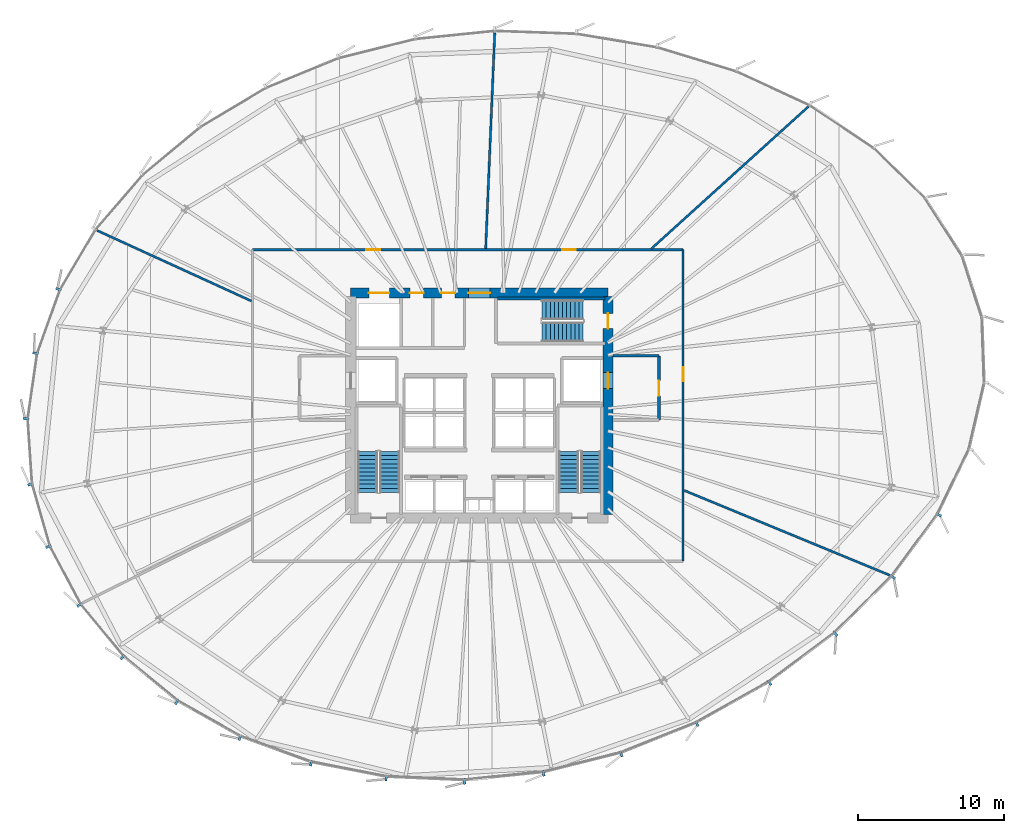
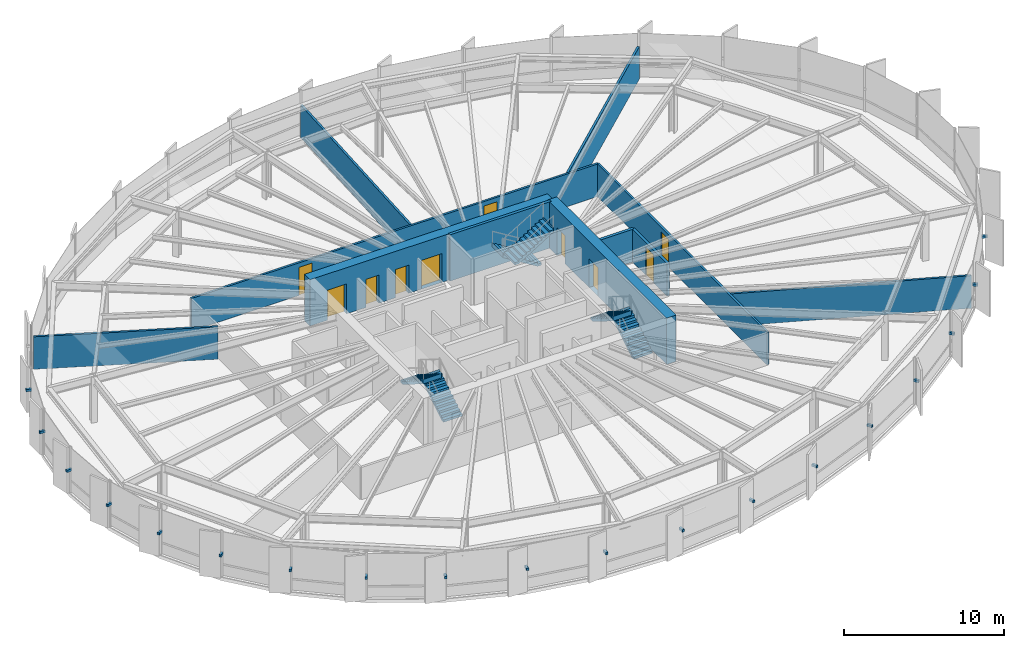
# One storey, part 30 of 35: 19 discrete accessories, 11 walls, 10 doors, 6 stair flights, 10 openings, 3 elements without a shape of their own.
"""IFC4 building model written with IfcOpenShell, lengths in metres."""

import ifcopenshell
import ifcopenshell.guid

model = None  # the IFC model being written
_history = None  # IfcOwnerHistory: only IFC2X3 demands one
_inside = {}  # id of a spatial element -> (the spatial element, [elements in it])
_under = {}  # id of a project, library or spatial element -> (it, [spatial elements below it])
_declared = {}  # id of a project -> (the project, [libraries it declares])
_typed = {}  # id of a type object -> (the type object, [elements of that type])
_made_of = {}  # id of a material, layer set ... -> (it, [elements and type objects made of it])


def new_model(schema):
    """Start an empty IFC model of exactly this schema.

    Asked for "IFC4X3", IfcOpenShell would pick the latest addendum, in which some entities
    have other attributes; the version numbers below select the first issue.
    IFC2X3 requires an IfcOwnerHistory on every rooted entity: one is made here for all.
    """
    global model, _history
    if schema == "IFC4X3":
        model = ifcopenshell.file(schema_version=(4, 3, 0, 0))
    else:
        model = ifcopenshell.file(schema=schema)
    _inside.clear()
    _under.clear()
    _declared.clear()
    _typed.clear()
    _made_of.clear()
    _history = None
    if model.schema == "IFC2X3":
        org = make("IfcOrganization", Name="unknown")
        user = make(
            "IfcPersonAndOrganization",
            ThePerson=make("IfcPerson", FamilyName="unknown"),
            TheOrganization=org,
        )
        app = make(
            "IfcApplication",
            ApplicationDeveloper=org,
            Version="unknown",
            ApplicationFullName="unknown",
            ApplicationIdentifier="unknown",
        )
        _history = make(
            "IfcOwnerHistory",
            OwningUser=user,
            OwningApplication=app,
            ChangeAction="ADDED",
            CreationDate=0,
        )
    return model


def make(cls, **values):
    """One entity of the class cls with the attributes given. An attribute that is None is left unset."""
    return model.create_entity(
        cls, **{name: value for name, value in values.items() if value is not None}
    )


def rooted(cls, **values):
    """An entity with a GlobalId (a new one), such as an element, a storey or a relation."""
    return make(cls, GlobalId=ifcopenshell.guid.new(), OwnerHistory=_history, **values)


def si_unit(unit_type, name, prefix=None):
    """IfcSIUnit, for example si_unit("LENGTHUNIT", "METRE", prefix="MILLI")."""
    return make("IfcSIUnit", UnitType=unit_type, Prefix=prefix, Name=name)


def assignment(units):
    """IfcUnitAssignment: the units of a project."""
    return None if units is None else make("IfcUnitAssignment", Units=units)


def point(xyz):
    """IfcCartesianPoint."""
    return None if xyz is None else make("IfcCartesianPoint", Coordinates=xyz)


def direction(xyz):
    """IfcDirection."""
    return None if xyz is None else make("IfcDirection", DirectionRatios=xyz)


def frame(location, z_axis=None, x_axis=None):
    """IfcAxis2Placement3D, a coordinate frame: its origin and axes. An axis left out is left unset."""
    return make(
        "IfcAxis2Placement3D",
        Location=point(location),
        Axis=direction(z_axis),
        RefDirection=direction(x_axis),
    )


def frame_2d(location, x_axis=None):
    """IfcAxis2Placement2D, a coordinate frame in the plane: its origin and x axis."""
    return make(
        "IfcAxis2Placement2D", Location=point(location), RefDirection=direction(x_axis)
    )


def origin():
    """The frame at (0, 0, 0) with its axes left unset."""
    return frame((0.0, 0.0, 0.0))


def origin_2d():
    """The frame at (0, 0) in the plane with its x axis left unset."""
    return frame_2d((0.0, 0.0))


def place(relative_to, where):
    """IfcLocalPlacement: puts the frame where relative to a parent placement (None: the world)."""
    return make(
        "IfcLocalPlacement", PlacementRelTo=relative_to, RelativePlacement=where
    )


def context(
    kind, dimensions, precision=None, world=None, true_north=None, identifier=None
):
    """IfcGeometricRepresentationContext, for example the 3D "Model" context."""
    return make(
        "IfcGeometricRepresentationContext",
        ContextIdentifier=identifier,
        ContextType=kind,
        CoordinateSpaceDimension=dimensions,
        Precision=precision,
        WorldCoordinateSystem=world,
        TrueNorth=true_north,
    )


def subcontext(parent, identifier, kind, view, scale=None):
    """IfcGeometricRepresentationSubContext, for example "Body" below "Model"."""
    return make(
        "IfcGeometricRepresentationSubContext",
        ContextIdentifier=identifier,
        ContextType=kind,
        ParentContext=parent,
        TargetScale=scale,
        TargetView=view,
    )


def project(units=None, contexts=None):
    """IfcProject with its units and contexts."""
    return rooted(
        "IfcProject",
        Name="project",
        RepresentationContexts=contexts,
        UnitsInContext=assignment(units),
    )


def spatial(cls, under=None, at=None, **own):
    """A site, building, storey or space (cls), placed at a placement, below another one or the project."""
    s = rooted(cls, ObjectPlacement=at, **own)
    if under is not None:
        _under.setdefault(under.id(), (under, []))[1].append(s)
    return s


def polyline(points):
    """IfcPolyline through the points."""
    return make("IfcPolyline", Points=[point(p) for p in points])


def profile(cls, at=None, kind="AREA", **sizes):
    """A parametric profile (cls). Its sizes go by their IFC names, for example OverallWidth=200.0."""
    return make(cls, ProfileType=kind, Position=at, **sizes)


def rectangle(**sizes):
    """IfcRectangleProfileDef."""
    return profile("IfcRectangleProfileDef", **sizes)


def outline(outer, holes=None, kind="AREA"):
    """IfcArbitraryClosedProfileDef: a profile drawn as a closed curve; with holes, ...WithVoids."""
    if holes is None:
        return make("IfcArbitraryClosedProfileDef", ProfileType=kind, OuterCurve=outer)
    return make(
        "IfcArbitraryProfileDefWithVoids",
        ProfileType=kind,
        OuterCurve=outer,
        InnerCurves=holes,
    )


def extrude(swept, where, along, depth):
    """IfcExtrudedAreaSolid: the profile swept, set in the frame where, extruded along a direction by depth."""
    return make(
        "IfcExtrudedAreaSolid",
        SweptArea=swept,
        Position=where,
        ExtrudedDirection=direction(along),
        Depth=depth,
    )


def shape(context_of_items, identifier, shape_type, items):
    """IfcShapeRepresentation: the items that make up one representation, for example the "Body"."""
    return make(
        "IfcShapeRepresentation",
        ContextOfItems=context_of_items,
        RepresentationIdentifier=identifier,
        RepresentationType=shape_type,
        Items=items,
    )


def source(mapping_origin, context_of_items, identifier, shape_type, items):
    """IfcRepresentationMap: a shape defined once, which mapped items show again and again."""
    return make(
        "IfcRepresentationMap",
        MappingOrigin=mapping_origin,
        MappedRepresentation=shape(context_of_items, identifier, shape_type, items),
    )


def transform(
    local_origin,
    x_axis=None,
    y_axis=None,
    z_axis=None,
    scale=None,
    scale2=None,
    scale3=None,
    uniform=True,
):
    """IfcCartesianTransformationOperator3D, or its non-uniform kind. x_axis, y_axis, z_axis: its Axis1, 2, 3."""
    if uniform:
        return make(
            "IfcCartesianTransformationOperator3D",
            Axis1=direction(x_axis),
            Axis2=direction(y_axis),
            LocalOrigin=point(local_origin),
            Scale=scale,
            Axis3=direction(z_axis),
        )
    return make(
        "IfcCartesianTransformationOperator3DnonUniform",
        Axis1=direction(x_axis),
        Axis2=direction(y_axis),
        LocalOrigin=point(local_origin),
        Scale=scale,
        Axis3=direction(z_axis),
        Scale2=scale2,
        Scale3=scale3,
    )


def mapped(mapping_source, mapping_target):
    """IfcMappedItem: shows the shape of a source again, moved by a transform."""
    return make(
        "IfcMappedItem", MappingSource=mapping_source, MappingTarget=mapping_target
    )


def material(Name=None, Category=None):
    """IfcMaterial."""
    return make("IfcMaterial", Name=Name, Category=Category)


def layer(
    of_material, thickness, ventilated=None, Name=None, Category=None, Priority=None
):
    """IfcMaterialLayer: one layer of a wall or slab, of a material (None: an air gap)."""
    return make(
        "IfcMaterialLayer",
        Material=of_material,
        LayerThickness=thickness,
        IsVentilated=ventilated,
        Name=Name,
        Category=Category,
        Priority=Priority,
    )


def layer_set(layers, Name=None):
    """IfcMaterialLayerSet."""
    return make("IfcMaterialLayerSet", MaterialLayers=layers, LayerSetName=Name)


def made_of(thing, what):
    """Note that an element or type object is made of a material, layer set ...; save() writes the relation."""
    if what is not None:
        _made_of.setdefault(what.id(), (what, []))[1].append(thing)
    return thing


def type_object(cls, material=None, **own):
    """A type object (cls), such as IfcWallType, which elements share."""
    return made_of(rooted(cls, **own), material)


def element(
    cls,
    number,
    at=None,
    inside=None,
    cuts=None,
    type_object=None,
    material=None,
    context=None,
    identifier="Body",
    shape_type=None,
    held_by="IfcProductDefinitionShape",
    body=None,
    shapes=None,
    **own,
):
    """One element of the class cls, such as IfcWall. Its Tag is "e" and its number.

    at: its placement. inside: the storey or other place that contains it. cuts: it is an
    opening in that element (IfcRelVoidsElement). A single representation is given by context,
    identifier, shape_type and body (its items); several are given by shapes. held_by: the class
    of the entity that holds the representations. save() writes the other relations.
    """
    e = rooted(cls, Tag="e%d" % number, ObjectPlacement=at, **own)
    if body is not None:
        shapes = [shape(context, identifier, shape_type, body)]
    if shapes is not None:
        e.Representation = make(held_by, Representations=shapes)
    if inside is not None:
        _inside.setdefault(inside.id(), (inside, []))[1].append(e)
    if cuts is not None:
        rooted(
            "IfcRelVoidsElement", RelatingBuildingElement=cuts, RelatedOpeningElement=e
        )
    if type_object is not None:
        _typed.setdefault(type_object.id(), (type_object, []))[1].append(e)
    return made_of(e, material)


def fill(opening, filler):
    """IfcRelFillsElement: the door or window that sits in an opening."""
    return rooted(
        "IfcRelFillsElement",
        RelatingOpeningElement=opening,
        RelatedBuildingElement=filler,
    )


def aggregate(whole, parts):
    """IfcRelAggregates: a whole, such as a stair, and the parts it consists of."""
    return rooted("IfcRelAggregates", RelatingObject=whole, RelatedObjects=parts)


def save(model, path):
    """Write the relations noted so far, then the file.

    IfcRelAggregates (storeys below a building ...), IfcRelContainedInSpatialStructure (elements
    in a storey), IfcRelDefinesByType, IfcRelAssociatesMaterial and IfcRelDeclares: one each for
    every whole, place, type object, material and project.
    """
    for whole, parts in _under.values():
        aggregate(whole, parts)
    for where, things in _inside.values():
        rooted(
            "IfcRelContainedInSpatialStructure",
            RelatedElements=things,
            RelatingStructure=where,
        )
    for kind, things in _typed.values():
        rooted("IfcRelDefinesByType", RelatedObjects=things, RelatingType=kind)
    for what, things in _made_of.values():
        rooted("IfcRelAssociatesMaterial", RelatedObjects=things, RelatingMaterial=what)
    for by, libraries in _declared.values():
        rooted("IfcRelDeclares", RelatingContext=by, RelatedDefinitions=libraries)
    model.write(path)


model = new_model("IFC4")

# Units and contexts
model_context = context("Model", 3, precision=1e-05, world=origin(), true_north=direction((0.0, 1.0)))
body_context = subcontext(model_context, "Body", "Model", "MODEL_VIEW")
ifc_project = project(units=[si_unit("LENGTHUNIT", "METRE"), si_unit("AREAUNIT", "SQUARE_METRE"), si_unit("VOLUMEUNIT", "CUBIC_METRE"), si_unit("PLANEANGLEUNIT", "RADIAN"), si_unit("MASSUNIT", "GRAM", prefix="KILO"), si_unit("THERMODYNAMICTEMPERATUREUNIT", "KELVIN")], contexts=[model_context])

# Site, building, storey
site_placement = place(None, origin())
site = spatial("IfcSite", under=ifc_project, at=site_placement, CompositionType="ELEMENT")
building_placement = place(site_placement, origin())
building = spatial("IfcBuilding", under=site, at=building_placement, Name="Kethvar Cultural Tower", CompositionType="ELEMENT")
storey_placement = place(building_placement, frame((0.0, 0.0, 71.39990234375)))
storey = spatial("IfcBuildingStorey", under=building, at=storey_placement, Name="L17", CompositionType="ELEMENT", Elevation=71.39990234375)

# Wall, openings, doors
ifc_material_1 = material(Name="Concrete C60/75", Category="concrete")
ifc_layer_1 = layer(ifc_material_1, 0.699951171875, Name="Concrete C60/75", Category="concrete")
ifc_layer_set_1 = layer_set([ifc_layer_1], Name="Concrete C60/75 (700 mm)")
wall_type_1 = type_object("IfcWallType", Name="WL-CORE-700", PredefinedType="SHEAR", material=ifc_layer_set_1)
wall_1_placement = place(storey_placement, frame((55.60009765625, 35.5, 0.0), z_axis=(0.0, 0.0, 1.0), x_axis=(-1.0, 0.0, 0.0)))
wall_1 = element("IfcWall", 1, at=wall_1_placement, inside=storey, type_object=wall_type_1, Name="L17 Core Shear Wall N", PredefinedType="SHEAR", context=body_context, shape_type="SweptSolid", body=[
    extrude(rectangle(XDim=17.60009765625, YDim=0.699951171875, at=frame_2d((8.800048828125, 0.0))), origin(), (0.0, 0.0, 1.0), 3.5400390625),
])
opening_1_placement = place(wall_1_placement, frame((8.050048828125, 0.0, 0.0)))
opening_1 = element("IfcOpeningElement", 2, at=opening_1_placement, cuts=wall_1, Name="Opening D-L17-LN", PredefinedType="OPENING", context=body_context, shape_type="SweptSolid", body=[
    extrude(rectangle(XDim=1.5, YDim=2.199951171875, at=frame_2d((0.75, 1.10009765625))), frame((0.0, 0.35986328125, 0.0), z_axis=(0.0, -1.0, 0.0), x_axis=(1.0, 0.0, 0.0)), (0.0, 0.0, 1.0), 0.719970703125),
])
opening_2_placement = place(wall_1_placement, frame((14.949951171875, 0.0, 0.0)))
opening_2 = element("IfcOpeningElement", 3, at=opening_2_placement, cuts=wall_1, Name="Opening LD-G1", PredefinedType="OPENING", context=body_context, shape_type="SweptSolid", body=[
    extrude(rectangle(XDim=1.39990234375, YDim=2.300048828125, at=frame_2d((0.699951171875, 1.14990234375))), frame((0.0, 0.35986328125, 0.0), z_axis=(0.0, -1.0, 0.0), x_axis=(1.0, 0.0, 0.0)), (0.0, 0.0, 1.0), 0.719970703125),
])
opening_3_placement = place(wall_1_placement, frame((12.60009765625, 0.0, 0.0)))
opening_3 = element("IfcOpeningElement", 4, at=opening_3_placement, cuts=wall_1, Name="Opening D-L17-W1", PredefinedType="OPENING", context=body_context, shape_type="SweptSolid", body=[
    extrude(rectangle(XDim=0.949951171875, YDim=2.14990234375, at=frame_2d((0.47509765625, 1.074951171875))), frame((0.0, 0.35986328125, 0.0), z_axis=(0.0, -1.0, 0.0), x_axis=(1.0, 0.0, 0.0)), (0.0, 0.0, 1.0), 0.719970703125),
])
opening_4_placement = place(wall_1_placement, frame((10.449951171875, 0.0, 0.0)))
opening_4 = element("IfcOpeningElement", 5, at=opening_4_placement, cuts=wall_1, Name="Opening D-L17-W2", PredefinedType="OPENING", context=body_context, shape_type="SweptSolid", body=[
    extrude(rectangle(XDim=0.949951171875, YDim=2.14990234375, at=frame_2d((0.47509765625, 1.074951171875))), frame((0.0, 0.35986328125, 0.0), z_axis=(0.0, -1.0, 0.0), x_axis=(1.0, 0.0, 0.0)), (0.0, 0.0, 1.0), 0.719970703125),
])
ifc_material_2 = material(Name="Architectural Oak Timber", Category="wood")
door_type_1 = type_object("IfcDoorType", Name="DR-DBL-FD60-1500", OperationType="DOUBLE_DOOR_SINGLE_SWING", PredefinedType="DOOR", material=ifc_material_2)
shared_shape_1 = source(origin(), body_context, "Body", "SweptSolid", [
    extrude(rectangle(XDim=1.5, YDim=2.199951171875, at=frame_2d((0.75, 1.10009765625))), frame((0.0, 0.02490234375, 0.0), z_axis=(0.0, -1.0, 0.0), x_axis=(1.0, 0.0, 0.0)), (0.0, 0.0, 1.0), 0.050048828125),
])
door_1_placement = place(opening_1_placement, origin())
door_1 = element("IfcDoor", 6, at=door_1_placement, inside=storey, type_object=door_type_1, Name="L17 Lift Lobby Concourse Door", OperationType="DOUBLE_DOOR_SINGLE_SWING", OverallHeight=2.199951171875, OverallWidth=1.5, PredefinedType="DOOR", context=body_context, shape_type="MappedRepresentation", body=[
    mapped(shared_shape_1, transform((0.0, 0.0, 0.0), scale=1.0)),
])
fill(opening_1, door_1)
ifc_material_3 = material(Name="Steel S355J2", Category="steel")
door_type_2 = type_object("IfcDoorType", Name="DR-LIFT-SLIDE-1400", OperationType="NOTDEFINED", PredefinedType="DOOR", material=ifc_material_3)
shared_shape_2 = source(origin(), body_context, "Body", "SweptSolid", [
    extrude(rectangle(XDim=1.39990234375, YDim=2.300048828125, at=frame_2d((0.699951171875, 1.14990234375))), frame((0.0, 0.02490234375, 0.0), z_axis=(0.0, -1.0, 0.0), x_axis=(1.0, 0.0, 0.0)), (0.0, 0.0, 1.0), 0.050048828125),
])
door_2_placement = place(opening_2_placement, origin())
door_2 = element("IfcDoor", 7, at=door_2_placement, inside=storey, type_object=door_type_2, Name="L17 Goods Lift Landing Door", OperationType="SLIDING_TO_RIGHT", OverallHeight=2.300048828125, OverallWidth=1.39990234375, PredefinedType="DOOR", context=body_context, shape_type="MappedRepresentation", body=[
    mapped(shared_shape_2, transform((0.0, 0.0, 0.0), scale=1.0)),
])
fill(opening_2, door_2)
door_type_3 = type_object("IfcDoorType", Name="DR-FD30-950", OperationType="NOTDEFINED", PredefinedType="DOOR", material=ifc_material_2)
shared_shape_3 = source(origin(), body_context, "Body", "SweptSolid", [
    extrude(rectangle(XDim=0.949951171875, YDim=2.14990234375, at=frame_2d((0.47509765625, 1.074951171875))), frame((0.0, 0.02490234375, 0.0), z_axis=(0.0, -1.0, 0.0), x_axis=(1.0, 0.0, 0.0)), (0.0, 0.0, 1.0), 0.050048828125),
])
door_3_placement = place(opening_3_placement, origin())
door_3 = element("IfcDoor", 8, at=door_3_placement, inside=storey, type_object=door_type_3, Name="L17 Accessible Washroom Door", OperationType="SINGLE_SWING_LEFT", OverallHeight=2.14990234375, OverallWidth=0.949951171875, PredefinedType="DOOR", context=body_context, shape_type="MappedRepresentation", body=[
    mapped(shared_shape_3, transform((0.0, 0.0, 0.0), scale=1.0)),
])
fill(opening_3, door_3)
door_4_placement = place(opening_4_placement, origin())
door_4 = element("IfcDoor", 9, at=door_4_placement, inside=storey, type_object=door_type_3, Name="L17 Public Washroom Door", OperationType="SINGLE_SWING_RIGHT", OverallHeight=2.14990234375, OverallWidth=0.949951171875, PredefinedType="DOOR", context=body_context, shape_type="MappedRepresentation", body=[
    mapped(shared_shape_3, transform((0.0, 0.0, 0.0), scale=1.0)),
])
fill(opening_4, door_4)

wall_2_placement = place(storey_placement, frame((55.60009765625, 20.340087890625, 0.0), z_axis=(0.0, 0.0, 1.0), x_axis=(0.0, 1.0, 0.0)))
wall_2 = element("IfcWall", 10, at=wall_2_placement, inside=storey, type_object=wall_type_1, Name="L17 Core Shear Wall E", PredefinedType="SHEAR", context=body_context, shape_type="SweptSolid", body=[
    extrude(rectangle(XDim=14.919921875, YDim=0.699951171875, at=frame_2d((7.4599609375, 0.0))), origin(), (0.0, 0.0, 1.0), 3.5400390625),
])
opening_5_placement = place(wall_2_placement, frame((12.7099609375, 0.0, 0.0)))
opening_5 = element("IfcOpeningElement", 11, at=opening_5_placement, cuts=wall_2, Name="Opening D-L17-S3", PredefinedType="OPENING", context=body_context, shape_type="SweptSolid", body=[
    extrude(rectangle(XDim=1.050048828125, YDim=2.14990234375, at=frame_2d((0.52490234375, 1.074951171875))), frame((0.0, 0.35986328125, 0.0), z_axis=(0.0, -1.0, 0.0), x_axis=(1.0, 0.0, 0.0)), (0.0, 0.0, 1.0), 0.719970703125),
])
opening_6_placement = place(wall_2_placement, frame((8.610107421875, 0.0, 0.0)))
opening_6 = element("IfcOpeningElement", 12, at=opening_6_placement, cuts=wall_2, Name="Opening LD-2", PredefinedType="OPENING", context=body_context, shape_type="SweptSolid", body=[
    extrude(rectangle(XDim=1.10009765625, YDim=2.199951171875, at=frame_2d((0.550048828125, 1.10009765625))), frame((0.0, 0.35986328125, 0.0), z_axis=(0.0, -1.0, 0.0), x_axis=(1.0, 0.0, 0.0)), (0.0, 0.0, 1.0), 0.719970703125),
])
door_type_4 = type_object("IfcDoorType", Name="DR-FD60-1050", OperationType="NOTDEFINED", PredefinedType="DOOR", material=ifc_material_3)
shared_shape_4 = source(origin(), body_context, "Body", "SweptSolid", [
    extrude(rectangle(XDim=1.050048828125, YDim=2.14990234375, at=frame_2d((0.52490234375, 1.074951171875))), frame((0.0, 0.02490234375, 0.0), z_axis=(0.0, -1.0, 0.0), x_axis=(1.0, 0.0, 0.0)), (0.0, 0.0, 1.0), 0.050048828125),
])
door_5_placement = place(opening_5_placement, origin())
door_5 = element("IfcDoor", 13, at=door_5_placement, inside=storey, type_object=door_type_4, Name="L17 Exit Stair 3 Door", OperationType="SINGLE_SWING_LEFT", OverallHeight=2.14990234375, OverallWidth=1.050048828125, PredefinedType="DOOR", context=body_context, shape_type="MappedRepresentation", body=[
    mapped(shared_shape_4, transform((0.0, 0.0, 0.0), scale=1.0)),
])
fill(opening_5, door_5)
door_type_5 = type_object("IfcDoorType", Name="DR-LIFT-SLIDE-1100", OperationType="NOTDEFINED", PredefinedType="DOOR", material=ifc_material_3)
shared_shape_5 = source(origin(), body_context, "Body", "SweptSolid", [
    extrude(rectangle(XDim=1.10009765625, YDim=2.199951171875, at=frame_2d((0.550048828125, 1.10009765625))), frame((0.0, 0.02490234375, 0.0), z_axis=(0.0, -1.0, 0.0), x_axis=(1.0, 0.0, 0.0)), (0.0, 0.0, 1.0), 0.050048828125),
])
door_6_placement = place(opening_6_placement, origin())
door_6 = element("IfcDoor", 14, at=door_6_placement, inside=storey, type_object=door_type_5, Name="L17 Firefighting Lift Landing Door FFL-02", OperationType="SLIDING_TO_RIGHT", OverallHeight=2.199951171875, OverallWidth=1.10009765625, PredefinedType="DOOR", context=body_context, shape_type="MappedRepresentation", body=[
    mapped(shared_shape_5, transform((0.0, 0.0, 0.0), scale=1.0)),
])
fill(opening_6, door_6)

# Wall, opening, door
ifc_material_4 = material(Name="Gypsum Fireboard Partition")
ifc_layer_2 = layer(ifc_material_4, 0.14990234375, Name="Gypsum Fireboard Partition")
ifc_layer_set_2 = layer_set([ifc_layer_2], Name="Gypsum Fireboard Partition (150 mm)")
wall_type_2 = type_object("IfcWallType", Name="WL-FIRE-150", PredefinedType="PARTITIONING", material=ifc_layer_set_2)
wall_3_placement = place(storey_placement, frame((60.75, 17.139892578125, 0.0), z_axis=(0.0, 0.0, 1.0), x_axis=(0.0, 1.0, 0.0)))
wall_3 = element("IfcWall", 15, at=wall_3_placement, inside=storey, type_object=wall_type_2, Name="L17 Corridor Rated Wall E", PredefinedType="PARTITIONING", context=body_context, shape_type="SweptSolid", body=[
    extrude(rectangle(XDim=21.320068359375, YDim=0.14990234375, at=frame_2d((10.66015625, 0.0))), origin(), (0.0, 0.0, 1.0), 2.4951171875),
])
opening_7_placement = place(wall_3_placement, frame((12.320556640625, 0.0, 0.0)))
opening_7 = element("IfcOpeningElement", 16, at=opening_7_placement, cuts=wall_3, Name="Opening D-L17-02", PredefinedType="OPENING", context=body_context, shape_type="SweptSolid", body=[
    extrude(rectangle(XDim=0.949951171875, YDim=2.14990234375, at=frame_2d((0.47509765625, 1.074951171875))), frame((0.0, 0.0849609375, 0.0), z_axis=(0.0, -1.0, 0.0), x_axis=(1.0, 0.0, 0.0)), (0.0, 0.0, 1.0), 0.169921875),
])
door_7_placement = place(opening_7_placement, origin())
door_7 = element("IfcDoor", 17, at=door_7_placement, inside=storey, type_object=door_type_3, Name="L17 Researchers' Study Lounge 02 Door", OperationType="SINGLE_SWING_LEFT", OverallHeight=2.14990234375, OverallWidth=0.949951171875, PredefinedType="DOOR", context=body_context, shape_type="MappedRepresentation", body=[
    mapped(shared_shape_3, transform((0.0, 0.0, 0.0), scale=1.0)),
])
fill(opening_7, door_7)

# Wall, openings, doors
wall_4_placement = place(storey_placement, frame((60.75, 38.4599609375, 0.0), z_axis=(0.0, 0.0, 1.0), x_axis=(-1.0, 0.0, 0.0)))
wall_4 = element("IfcWall", 18, at=wall_4_placement, inside=storey, type_object=wall_type_2, Name="L17 Corridor Rated Wall N", PredefinedType="PARTITIONING", context=body_context, shape_type="SweptSolid", body=[
    extrude(rectangle(XDim=29.4599609375, YDim=0.14990234375, at=frame_2d((14.72998046875, 0.0))), origin(), (0.0, 0.0, 1.0), 2.4951171875),
])
opening_8_placement = place(wall_4_placement, frame((7.336669921875, 0.0, 0.0)))
opening_8 = element("IfcOpeningElement", 19, at=opening_8_placement, cuts=wall_4, Name="Opening D-L17-03", PredefinedType="OPENING", context=body_context, shape_type="SweptSolid", body=[
    extrude(rectangle(XDim=0.949951171875, YDim=2.14990234375, at=frame_2d((0.47509765625, 1.074951171875))), frame((0.0, 0.0849609375, 0.0), z_axis=(0.0, -1.0, 0.0), x_axis=(1.0, 0.0, 0.0)), (0.0, 0.0, 1.0), 0.169921875),
])
opening_9_placement = place(wall_4_placement, frame((20.7216796875, 0.0, 0.0)))
opening_9 = element("IfcOpeningElement", 20, at=opening_9_placement, cuts=wall_4, Name="Opening D-L17-04", PredefinedType="OPENING", context=body_context, shape_type="SweptSolid", body=[
    extrude(rectangle(XDim=0.949951171875, YDim=2.14990234375, at=frame_2d((0.47509765625, 1.074951171875))), frame((0.0, 0.0849609375, 0.0), z_axis=(0.0, -1.0, 0.0), x_axis=(1.0, 0.0, 0.0)), (0.0, 0.0, 1.0), 0.169921875),
])
door_8_placement = place(opening_8_placement, origin())
door_8 = element("IfcDoor", 21, at=door_8_placement, inside=storey, type_object=door_type_3, Name="L17 Cultural Lecture Room 03 Door", OperationType="SINGLE_SWING_RIGHT", OverallHeight=2.14990234375, OverallWidth=0.949951171875, PredefinedType="DOOR", context=body_context, shape_type="MappedRepresentation", body=[
    mapped(shared_shape_3, transform((0.0, 0.0, 0.0), scale=1.0)),
])
fill(opening_8, door_8)
door_9_placement = place(opening_9_placement, origin())
door_9 = element("IfcDoor", 22, at=door_9_placement, inside=storey, type_object=door_type_3, Name="L17 Patron Reception 04 Door", OperationType="SINGLE_SWING_LEFT", OverallHeight=2.14990234375, OverallWidth=0.949951171875, PredefinedType="DOOR", context=body_context, shape_type="MappedRepresentation", body=[
    mapped(shared_shape_3, transform((0.0, 0.0, 0.0), scale=1.0)),
])
fill(opening_9, door_9)

# Wall, opening, door
ifc_material_5 = material(Name="Concrete C40/50", Category="concrete")
ifc_layer_3 = layer(ifc_material_5, 0.199951171875, Name="Concrete C40/50", Category="concrete")
ifc_layer_set_3 = layer_set([ifc_layer_3], Name="Concrete C40/50 (200 mm)")
wall_type_3 = type_object("IfcWallType", Name="WL-FIRE-200", PredefinedType="PARTITIONING", material=ifc_layer_set_3)
wall_5_placement = place(storey_placement, frame((59.10009765625, 26.800048828125, 0.0), z_axis=(0.0, 0.0, 1.0), x_axis=(0.0, 1.0, 0.0)))
wall_5 = element("IfcWall", 23, at=wall_5_placement, inside=storey, type_object=wall_type_3, Name="L17 Firefighting Lobby 2 Wall", PredefinedType="PARTITIONING", context=body_context, shape_type="SweptSolid", body=[
    extrude(rectangle(XDim=4.39990234375, YDim=0.199951171875, at=frame_2d((2.199951171875, 0.0))), origin(), (0.0, 0.0, 1.0), 2.4951171875),
])
opening_10_placement = place(wall_5_placement, frame((1.64990234375, 0.0, 0.0)))
opening_10 = element("IfcOpeningElement", 24, at=opening_10_placement, cuts=wall_5, Name="Opening D-L17-F2", PredefinedType="OPENING", context=body_context, shape_type="SweptSolid", body=[
    extrude(rectangle(XDim=1.050048828125, YDim=2.14990234375, at=frame_2d((0.52490234375, 1.074951171875))), frame((0.0, 0.10986328125, 0.0), z_axis=(0.0, -1.0, 0.0), x_axis=(1.0, 0.0, 0.0)), (0.0, 0.0, 1.0), 0.219970703125),
])
door_10_placement = place(opening_10_placement, origin())
door_10 = element("IfcDoor", 25, at=door_10_placement, inside=storey, type_object=door_type_4, Name="L17 Firefighting Lobby 2 Fire Door", OperationType="SINGLE_SWING_LEFT", OverallHeight=2.14990234375, OverallWidth=1.050048828125, PredefinedType="DOOR", context=body_context, shape_type="MappedRepresentation", body=[
    mapped(shared_shape_4, transform((0.0, 0.0, 0.0), scale=1.0)),
])
fill(opening_10, door_10)

# Walls
wall_6_placement = place(storey_placement, frame((55.9599609375, 31.199951171875, 0.0), z_axis=(0.0, 0.0, 1.0), x_axis=(1.0, 0.0, 0.0)))
element("IfcWall", 26, at=wall_6_placement, inside=storey, type_object=wall_type_3, Name="L17 FF Lobby 2 North Wall", PredefinedType="PARTITIONING", context=body_context, shape_type="SweptSolid", body=[
    extrude(rectangle(XDim=3.14013671875, YDim=0.199951171875, at=frame_2d((1.570068359375, 0.0))), origin(), (0.0, 0.0, 1.0), 2.4951171875),
])
ifc_material_6 = material(Name="Gypsum Acoustic Partition")
ifc_layer_4 = layer(ifc_material_6, 0.14990234375, Name="Gypsum Acoustic Partition")
ifc_layer_set_4 = layer_set([ifc_layer_4], Name="Gypsum Acoustic Partition (150 mm)")
wall_type_4 = type_object("IfcWallType", Name="WL-PART-150", PredefinedType="PARTITIONING", material=ifc_layer_set_4)
wall_7_placement = place(storey_placement, frame((60.823974609375, 21.983642578125, 0.0), z_axis=(0.0, 0.0, 1.0), x_axis=(0.924417823498, -0.381381289001, 0.0)))
element("IfcWall", 27, at=wall_7_placement, inside=storey, type_object=wall_type_4, Name="L17 Radial Partition Wall 02", PredefinedType="PARTITIONING", context=body_context, shape_type="SweptSolid", body=[
    extrude(rectangle(XDim=15.223388671875, YDim=0.14990234375, at=frame_2d((7.61181640625, 0.0))), origin(), (0.0, 0.0, 1.0), 2.4951171875),
])
wall_8_placement = place(storey_placement, frame((58.563720703125, 38.513671875, 0.0), z_axis=(0.0, 0.0, 1.0), x_axis=(0.741451212239, 0.671006780793, 0.0)))
element("IfcWall", 28, at=wall_8_placement, inside=storey, type_object=wall_type_4, Name="L17 Radial Partition Wall 03", PredefinedType="PARTITIONING", context=body_context, shape_type="SweptSolid", body=[
    extrude(rectangle(XDim=14.50048828125, YDim=0.14990234375, at=frame_2d((7.250244140625, 0.0))), origin(), (0.0, 0.0, 1.0), 2.4951171875),
])
wall_9_placement = place(storey_placement, frame((47.23974609375, 38.539794921875, 0.0), z_axis=(0.0, 0.0, 1.0), x_axis=(0.042040900866, 0.999115890502, 0.0)))
element("IfcWall", 29, at=wall_9_placement, inside=storey, type_object=wall_type_4, Name="L17 Radial Partition Wall 04", PredefinedType="PARTITIONING", context=body_context, shape_type="SweptSolid", body=[
    extrude(rectangle(XDim=14.7734375, YDim=0.14990234375, at=frame_2d((7.38671875, 0.0))), origin(), (0.0, 0.0, 1.0), 2.4951171875),
])
wall_10_placement = place(storey_placement, frame((31.21728515625, 34.94189453125, 0.0), z_axis=(0.0, 0.0, 1.0), x_axis=(-0.909514903572, 0.415671312673, 0.0)))
element("IfcWall", 30, at=wall_10_placement, inside=storey, type_object=wall_type_4, Name="L17 Radial Partition Wall 05", PredefinedType="PARTITIONING", context=body_context, shape_type="SweptSolid", body=[
    extrude(rectangle(XDim=11.61181640625, YDim=0.14990234375, at=frame_2d((5.805908203125, 0.0))), origin(), (0.0, 0.0, 1.0), 2.4951171875),
])
ifc_material_7 = material(Name="Concrete C50/60", Category="concrete")
ifc_layer_5 = layer(ifc_material_7, 0.199951171875, Name="Concrete C50/60", Category="concrete")
ifc_layer_set_5 = layer_set([ifc_layer_5], Name="Concrete C50/60 (200 mm)")
wall_type_5 = type_object("IfcWallType", Name="WL-STSHAFT-200", PredefinedType="SHEAR", material=ifc_layer_set_5)
wall_11_placement = place(storey_placement, frame((48.050048828125, 35.110107421875, 0.0), z_axis=(0.0, 0.0, 1.0), x_axis=(1.0, 0.0, 0.0)))
element("IfcWall", 31, at=wall_11_placement, inside=storey, type_object=wall_type_5, Name="L17 ST-03 Stair Shaft Wall LEFT", PredefinedType="SHEAR", context=body_context, shape_type="SweptSolid", body=[
    extrude(rectangle(XDim=7.349853515625, YDim=0.199951171875, at=frame_2d((3.6748046875, 0.0))), origin(), (0.0, 0.0, 1.0), 3.5400390625),
])

# Stair, stair flights
stair_type = type_object("IfcStairType", Name="ST-DOGLEG-135", PredefinedType="HALF_TURN_STAIR", material=ifc_material_5)
stair_1_placement = place(storey_placement, origin())
stair_1 = element("IfcStair", 32, at=stair_1_placement, inside=storey, type_object=stair_type, Name="L17 Core Exit Stair 1", PredefinedType="HALF_TURN_STAIR")
stair_flight_type = type_object("IfcStairFlightType", Name="FL-STRAIGHT-135", PredefinedType="STRAIGHT", material=ifc_material_5)
stair_flight_1_placement = place(storey_placement, frame((40.675048828125, 21.85009765625, 0.0), z_axis=(0.0, 0.0, 1.0), x_axis=(0.0, 1.0, 0.0)))
stair_flight_1 = element("IfcStairFlight", 33, at=stair_flight_1_placement, type_object=stair_flight_type, Name="ST-01 flight 1", NumberOfRisers=11, NumberOfTreads=10, PredefinedType="STRAIGHT", RiserHeight=0.172727273, TreadLength=0.28, context=body_context, shape_type="SweptSolid", body=[
    extrude(outline(polyline([(-0.0009765625, -0.0009765625), (-0.0009765625, 0.172607421875), (0.280029296875, 0.172607421875), (0.280029296875, 0.345458984375), (0.56005859375, 0.345458984375), (0.56005859375, 0.51806640625), (0.840087890625, 0.51806640625), (0.840087890625, 0.69091796875), (1.1201171875, 0.69091796875), (1.1201171875, 0.863525390625), (1.39990234375, 0.863525390625), (1.39990234375, 1.036376953125), (1.679931640625, 1.036376953125), (1.679931640625, 1.208984375), (1.9599609375, 1.208984375), (1.9599609375, 1.3818359375), (2.239990234375, 1.3818359375), (2.239990234375, 1.554443359375), (2.52001953125, 1.554443359375), (2.52001953125, 1.727294921875), (2.800048828125, 1.727294921875), (2.800048828125, 1.89990234375), (2.801025390625, 1.89990234375), (2.801025390625, 1.551025390625), (0.285400390625, 0.0), (0.0, -0.0009765625), (-0.0009765625, -0.0009765625)])), frame((0.0, 0.675048828125, 0.0), z_axis=(0.0, -1.0, 0.0), x_axis=(1.0, 0.0, 0.0)), (0.0, 0.0, 1.0), 1.35009765625),
])
stair_flight_2_placement = place(storey_placement, frame((39.1650390625, 24.64990234375, 1.900146484375), z_axis=(0.0, 0.0, 1.0), x_axis=(0.0, -1.0, 0.0)))
stair_flight_2 = element("IfcStairFlight", 34, at=stair_flight_2_placement, type_object=stair_flight_type, Name="ST-01 flight 2", NumberOfRisers=11, NumberOfTreads=10, PredefinedType="STRAIGHT", RiserHeight=0.172727273, TreadLength=0.28, context=body_context, shape_type="SweptSolid", body=[
    extrude(outline(polyline([(-0.0009765625, -0.0009765625), (-0.0009765625, 0.172607421875), (0.280029296875, 0.172607421875), (0.280029296875, 0.345458984375), (0.56005859375, 0.345458984375), (0.56005859375, 0.51806640625), (0.840087890625, 0.51806640625), (0.840087890625, 0.69091796875), (1.1201171875, 0.69091796875), (1.1201171875, 0.863525390625), (1.39990234375, 0.863525390625), (1.39990234375, 1.036376953125), (1.679931640625, 1.036376953125), (1.679931640625, 1.208984375), (1.9599609375, 1.208984375), (1.9599609375, 1.3818359375), (2.239990234375, 1.3818359375), (2.239990234375, 1.554443359375), (2.52001953125, 1.554443359375), (2.52001953125, 1.727294921875), (2.800048828125, 1.727294921875), (2.800048828125, 1.89990234375), (2.801025390625, 1.89990234375), (2.801025390625, 1.551025390625), (0.285400390625, 0.0), (0.0, -0.0009765625), (-0.0009765625, -0.0009765625)])), frame((0.0, 0.675048828125, 0.0), z_axis=(0.0, -1.0, 0.0), x_axis=(1.0, 0.0, 0.0)), (0.0, 0.0, 1.0), 1.35009765625),
])
aggregate(stair_1, [stair_flight_1, stair_flight_2])

stair_2_placement = place(storey_placement, origin())
stair_2 = element("IfcStair", 35, at=stair_2_placement, inside=storey, type_object=stair_type, Name="L17 Core Exit Stair 2", PredefinedType="HALF_TURN_STAIR")
stair_flight_3_placement = place(storey_placement, frame((54.43505859375, 21.85009765625, 0.0), z_axis=(0.0, 0.0, 1.0), x_axis=(0.0, 1.0, 0.0)))
stair_flight_3 = element("IfcStairFlight", 36, at=stair_flight_3_placement, type_object=stair_flight_type, Name="ST-02 flight 1", NumberOfRisers=11, NumberOfTreads=10, PredefinedType="STRAIGHT", RiserHeight=0.172727273, TreadLength=0.28, context=body_context, shape_type="SweptSolid", body=[
    extrude(outline(polyline([(-0.0009765625, -0.0009765625), (-0.0009765625, 0.172607421875), (0.280029296875, 0.172607421875), (0.280029296875, 0.345458984375), (0.56005859375, 0.345458984375), (0.56005859375, 0.51806640625), (0.840087890625, 0.51806640625), (0.840087890625, 0.69091796875), (1.1201171875, 0.69091796875), (1.1201171875, 0.863525390625), (1.39990234375, 0.863525390625), (1.39990234375, 1.036376953125), (1.679931640625, 1.036376953125), (1.679931640625, 1.208984375), (1.9599609375, 1.208984375), (1.9599609375, 1.3818359375), (2.239990234375, 1.3818359375), (2.239990234375, 1.554443359375), (2.52001953125, 1.554443359375), (2.52001953125, 1.727294921875), (2.800048828125, 1.727294921875), (2.800048828125, 1.89990234375), (2.801025390625, 1.89990234375), (2.801025390625, 1.551025390625), (0.285400390625, 0.0), (0.0, -0.0009765625), (-0.0009765625, -0.0009765625)])), frame((0.0, 0.675048828125, 0.0), z_axis=(0.0, -1.0, 0.0), x_axis=(1.0, 0.0, 0.0)), (0.0, 0.0, 1.0), 1.35009765625),
])
stair_flight_4_placement = place(storey_placement, frame((52.925048828125, 24.64990234375, 1.900146484375), z_axis=(0.0, 0.0, 1.0), x_axis=(0.0, -1.0, 0.0)))
stair_flight_4 = element("IfcStairFlight", 37, at=stair_flight_4_placement, type_object=stair_flight_type, Name="ST-02 flight 2", NumberOfRisers=11, NumberOfTreads=10, PredefinedType="STRAIGHT", RiserHeight=0.172727273, TreadLength=0.28, context=body_context, shape_type="SweptSolid", body=[
    extrude(outline(polyline([(-0.0009765625, -0.0009765625), (-0.0009765625, 0.172607421875), (0.280029296875, 0.172607421875), (0.280029296875, 0.345458984375), (0.56005859375, 0.345458984375), (0.56005859375, 0.51806640625), (0.840087890625, 0.51806640625), (0.840087890625, 0.69091796875), (1.1201171875, 0.69091796875), (1.1201171875, 0.863525390625), (1.39990234375, 0.863525390625), (1.39990234375, 1.036376953125), (1.679931640625, 1.036376953125), (1.679931640625, 1.208984375), (1.9599609375, 1.208984375), (1.9599609375, 1.3818359375), (2.239990234375, 1.3818359375), (2.239990234375, 1.554443359375), (2.52001953125, 1.554443359375), (2.52001953125, 1.727294921875), (2.800048828125, 1.727294921875), (2.800048828125, 1.89990234375), (2.801025390625, 1.89990234375), (2.801025390625, 1.551025390625), (0.285400390625, 0.0), (0.0, -0.0009765625), (-0.0009765625, -0.0009765625)])), frame((0.0, 0.675048828125, 0.0), z_axis=(0.0, -1.0, 0.0), x_axis=(1.0, 0.0, 0.0)), (0.0, 0.0, 1.0), 1.35009765625),
])
aggregate(stair_2, [stair_flight_3, stair_flight_4])

stair_3_placement = place(storey_placement, origin())
stair_3 = element("IfcStair", 38, at=stair_3_placement, inside=storey, type_object=stair_type, Name="L17 Core Exit Stair 3", PredefinedType="HALF_TURN_STAIR")
stair_flight_5_placement = place(storey_placement, frame((53.89990234375, 34.3349609375, 0.0), z_axis=(0.0, 0.0, 1.0), x_axis=(-1.0, 0.0, 0.0)))
stair_flight_5 = element("IfcStairFlight", 39, at=stair_flight_5_placement, type_object=stair_flight_type, Name="ST-03 flight 1", NumberOfRisers=11, NumberOfTreads=10, PredefinedType="STRAIGHT", RiserHeight=0.172727273, TreadLength=0.28, context=body_context, shape_type="SweptSolid", body=[
    extrude(outline(polyline([(-0.0009765625, -0.0009765625), (-0.0009765625, 0.172607421875), (0.280029296875, 0.172607421875), (0.280029296875, 0.345458984375), (0.56005859375, 0.345458984375), (0.56005859375, 0.51806640625), (0.840087890625, 0.51806640625), (0.840087890625, 0.69091796875), (1.1201171875, 0.69091796875), (1.1201171875, 0.863525390625), (1.39990234375, 0.863525390625), (1.39990234375, 1.036376953125), (1.679931640625, 1.036376953125), (1.679931640625, 1.208984375), (1.9599609375, 1.208984375), (1.9599609375, 1.3818359375), (2.239990234375, 1.3818359375), (2.239990234375, 1.554443359375), (2.52001953125, 1.554443359375), (2.52001953125, 1.727294921875), (2.800048828125, 1.727294921875), (2.800048828125, 1.89990234375), (2.801025390625, 1.89990234375), (2.801025390625, 1.551025390625), (0.285400390625, 0.0), (0.0, -0.0009765625), (-0.0009765625, -0.0009765625)])), frame((0.0, 0.675048828125, 0.0), z_axis=(0.0, -1.0, 0.0), x_axis=(1.0, 0.0, 0.0)), (0.0, 0.0, 1.0), 1.35009765625),
])
stair_flight_6_placement = place(storey_placement, frame((51.10009765625, 32.824951171875, 1.900146484375), z_axis=(0.0, 0.0, 1.0), x_axis=(1.0, 0.0, 0.0)))
stair_flight_6 = element("IfcStairFlight", 40, at=stair_flight_6_placement, type_object=stair_flight_type, Name="ST-03 flight 2", NumberOfRisers=11, NumberOfTreads=10, PredefinedType="STRAIGHT", RiserHeight=0.172727273, TreadLength=0.28, context=body_context, shape_type="SweptSolid", body=[
    extrude(outline(polyline([(-0.0009765625, -0.0009765625), (-0.0009765625, 0.172607421875), (0.280029296875, 0.172607421875), (0.280029296875, 0.345458984375), (0.56005859375, 0.345458984375), (0.56005859375, 0.51806640625), (0.840087890625, 0.51806640625), (0.840087890625, 0.69091796875), (1.1201171875, 0.69091796875), (1.1201171875, 0.863525390625), (1.39990234375, 0.863525390625), (1.39990234375, 1.036376953125), (1.679931640625, 1.036376953125), (1.679931640625, 1.208984375), (1.9599609375, 1.208984375), (1.9599609375, 1.3818359375), (2.239990234375, 1.3818359375), (2.239990234375, 1.554443359375), (2.52001953125, 1.554443359375), (2.52001953125, 1.727294921875), (2.800048828125, 1.727294921875), (2.800048828125, 1.89990234375), (2.801025390625, 1.89990234375), (2.801025390625, 1.551025390625), (0.285400390625, 0.0), (0.0, -0.0009765625), (-0.0009765625, -0.0009765625)])), frame((0.0, 0.675048828125, 0.0), z_axis=(0.0, -1.0, 0.0), x_axis=(1.0, 0.0, 0.0)), (0.0, 0.0, 1.0), 1.35009765625),
])
aggregate(stair_3, [stair_flight_5, stair_flight_6])

# Discrete accessories
discrete_accessory_type = type_object("IfcDiscreteAccessoryType", Name="Steel Fin Bracket BRK-01", PredefinedType="BRACKET", material=ifc_material_3)
shared_shape_6 = source(origin(), body_context, "Body", "SweptSolid", [
    extrude(rectangle(XDim=0.3798828125, YDim=0.159912109375, at=origin_2d()), origin(), (0.0, 0.0, 1.0), 0.179931640625),
])
for number, where, z_axis, x_axis, name in (
    (41, (18.000732421875, 35.74853515625, 1.68017578125), (0.0, 0.0, 1.0), (-0.941293913101, 0.337588165017, 0.0), "L17 Terracotta Fin Bracket 3.4"),
    (42, (16.43212890625, 31.375, 1.68017578125), (0.0, 0.0, 1.0), (-0.989776230908, 0.142628933706, 0.0), "L17 Terracotta Fin Bracket 3.5"),
    (43, (15.786376953125, 26.892822265625, 1.68017578125), (0.0, 0.0, 1.0), (-0.997789886117, -0.066448048599, 0.0), "L17 Terracotta Fin Bracket 3.6"),
    (44, (16.0947265625, 22.397216796875, 1.68017578125), (0.0, 0.0, 1.0), (-0.961309789091, -0.275469579804, 0.0), "L17 Terracotta Fin Bracket 4.1"),
    (45, (17.3134765625, 18.146240234375, 1.68017578125), (0.0, 0.0, 1.0), (-0.882947592859, -0.469471562786, 0.0), "L17 Terracotta Fin Bracket 4.2"),
    (46, (19.439697265625, 14.14794921875, 1.68017578125), (0.0, 0.0, 1.0), (-0.771291427853, -0.636482154754, 0.0), "L17 Terracotta Fin Bracket 4.3"),
    (47, (22.397216796875, 10.564697265625, 1.68017578125), (0.0, 0.0, 1.0), (-0.637423989749, -0.770513242776, 0.0), "L17 Terracotta Fin Bracket 4.4"),
    (48, (26.095947265625, 7.5048828125, 1.68017578125), (0.0, 0.0, 1.0), (-0.491511855915, -0.870870883366, 0.0), "L17 Terracotta Fin Bracket 4.5"),
    (49, (30.423828125, 5.06201171875, 1.68017578125), (0.0, 0.0, 1.0), (-0.341364030823, -0.939931166873, 0.0), "L17 Terracotta Fin Bracket 4.6"),
    (50, (35.290771484375, 3.302001953125, 1.68017578125), (0.0, 0.0, 1.0), (-0.191151636272, -0.981560518741, 0.0), "L17 Terracotta Fin Bracket 5.1"),
    (51, (40.425537109375, 2.30224609375, 1.68017578125), (0.0, 0.0, 1.0), (-0.043445019893, -0.999055819385, 0.0), "L17 Terracotta Fin Bracket 5.2"),
    (52, (45.79541015625, 2.06884765625, 1.68017578125), (0.0, 0.0, 1.0), (0.101056297183, -0.994880708829, 0.0), "L17 Terracotta Fin Bracket 5.3"),
    (53, (51.19580078125, 2.6171875, 1.68017578125), (0.0, 0.0, 1.0), (0.241413816807, -0.970422263272, 0.0), "L17 Terracotta Fin Bracket 5.4"),
    (54, (56.51025390625, 3.939208984375, 1.68017578125), (0.0, 0.0, 1.0), (0.371691915613, -0.928356138488, 0.0), "L17 Terracotta Fin Bracket 5.5"),
    (55, (61.6953125, 6.0146484375, 1.68017578125), (0.0, 0.0, 1.0), (0.489534649095, -0.871983845799, 0.0), "L17 Terracotta Fin Bracket 5.6"),
    (56, (66.668701171875, 8.8134765625, 1.68017578125), (0.0, 0.0, 1.0), (0.598464436629, -0.801149373145, 0.0), "L17 Terracotta Fin Bracket 6.1"),
    (57, (71.1669921875, 12.17333984375, 1.68017578125), (0.0, 0.0, 1.0), (0.702525772694, -0.711658301926, 0.0), "L17 Terracotta Fin Bracket 6.2"),
    (58, (75.10302734375, 16.05859375, 1.68017578125), (0.0, 0.0, 1.0), (0.804271929332, -0.594261443885, 0.0), "L17 Terracotta Fin Bracket 6.3"),
    (59, (78.24609375, 20.3125, 1.68017578125), (0.0, 0.0, 1.0), (0.900014703397, -0.435859534333, 0.0), "L17 Terracotta Fin Bracket 6.4"),
):
    element("IfcDiscreteAccessory", number, at=place(storey_placement, frame(where, z_axis=z_axis, x_axis=x_axis)), inside=storey, type_object=discrete_accessory_type, Name=name, PredefinedType="BRACKET", context=body_context, shape_type="MappedRepresentation", body=[
        mapped(shared_shape_6, transform((0.0, 0.0, 0.0), scale=1.0)),
    ])

save(model, "model.ifc")
